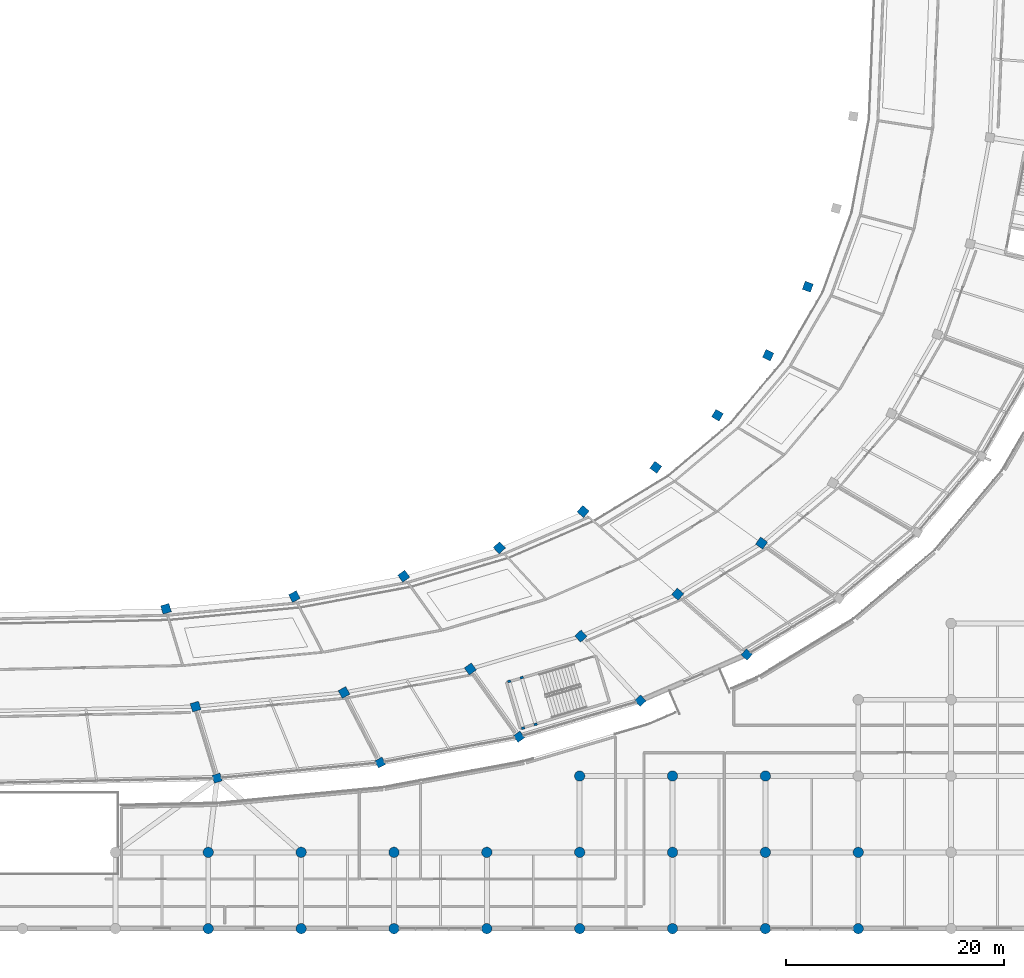
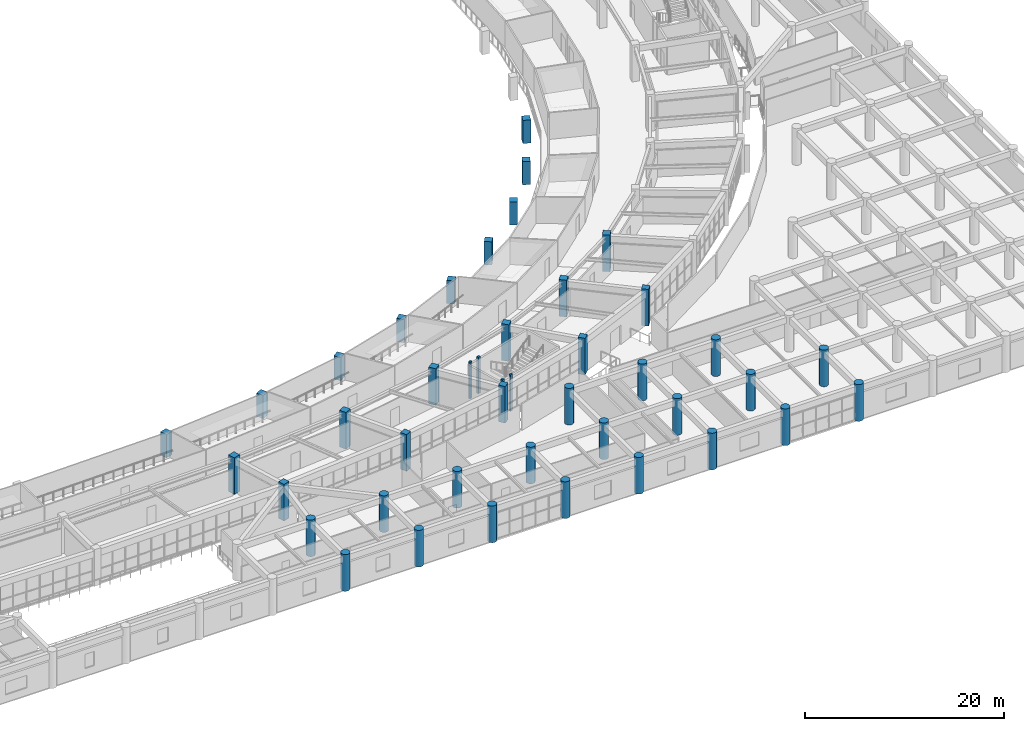
# One storey, part 4 of 141: 43 columns.
"""IFC4 building model written with IfcOpenShell, lengths in metres."""

from ifc_helpers import new_model, si_unit, direction, frame, origin, origin_2d, place, context, subcontext, project, spatial, rectangle, circle, extrude, material, material_profile, profile_set, type_object, element, save


model = new_model("IFC4")

# Units and contexts
model_context = context("Model", 3, precision=1e-05, world=origin(), true_north=direction((0.0, 1.0)))
body_context = subcontext(model_context, "Body", "Model", "MODEL_VIEW")
ifc_project = project(units=[si_unit("LENGTHUNIT", "METRE"), si_unit("AREAUNIT", "SQUARE_METRE"), si_unit("VOLUMEUNIT", "CUBIC_METRE"), si_unit("PLANEANGLEUNIT", "RADIAN"), si_unit("MASSUNIT", "GRAM", prefix="KILO")], contexts=[model_context])

# Site, building, storey
site_placement = place(None, origin())
site = spatial("IfcSite", under=ifc_project, at=site_placement, CompositionType="ELEMENT")
building_placement = place(site_placement, origin())
building = spatial("IfcBuilding", under=site, at=building_placement, Name="Mphavela Belvedere Stadium", CompositionType="ELEMENT")
storey_placement = place(building_placement, frame((0.0, 0.0, 14.699951171875)))
storey = spatial("IfcBuildingStorey", under=building, at=storey_placement, Name="L03", CompositionType="ELEMENT", Elevation=14.699951171875)

# Columns
ifc_material_1 = material(Name="Concrete C40/50", Category="concrete")
ifc_material_profile_1 = material_profile(ifc_material_1, rectangle(XDim=0.300048828125, YDim=0.219970703125, at=origin_2d()), Name="RC 300x220")
ifc_profile_set_1 = profile_set([ifc_material_profile_1], Name="Concrete C40/50")
column_type_1 = type_object("IfcColumnType", Name="COL-CORE-POST-300", PredefinedType="COLUMN", material=ifc_profile_set_1)
for number, where, z_axis, x_axis, name in (
    (1, (165.05419921875, 23.027099609375, 0.0), (0.0, 0.0, 1.0), (-0.958670893355, -0.284517342588, 0.0), "Core P04 stair frame column L03-1"),
    (2, (163.90380859375, 22.685791015625, 0.0), (0.0, 0.0, 1.0), (-0.958670893355, -0.284517342588, 0.0), "Core P04 stair frame column L03-2"),
    (3, (165.175537109375, 18.400390625, 0.0), (0.0, 0.0, 1.0), (-0.958670893355, -0.284517342588, 0.0), "Core P04 stair frame column L03-3"),
    (4, (166.325927734375, 18.741943359375, 0.0), (0.0, 0.0, 1.0), (-0.958670893355, -0.284517342588, 0.0), "Core P04 stair frame column L03-4"),
):
    element("IfcColumn", number, at=place(storey_placement, frame(where, z_axis=z_axis, x_axis=x_axis)), inside=storey, type_object=column_type_1, Name=name, PredefinedType="COLUMN", context=body_context, shape_type="SweptSolid", body=[
        extrude(rectangle(XDim=0.300048828125, YDim=0.219970703125, at=origin_2d()), origin(), (0.0, 0.0, 1.0), 4.5),
    ])
ifc_material_2 = material(Name="Concrete C40/50", Category="concrete")
ifc_material_profile_2 = material_profile(ifc_material_2, circle(Radius=0.47509765625, at=origin_2d()), Name="COL D950")
ifc_profile_set_2 = profile_set([ifc_material_profile_2], Name="Concrete C40/50")
column_type_2 = type_object("IfcColumnType", Name="COL-DORIC-950", PredefinedType="COLUMN", material=ifc_profile_set_2)
for number, where, z_axis, x_axis, name in (
    (5, (136.2958984375, 0.0, 0.0), (0.0, 0.0, 1.0), (1.0, 0.0, 0.0), "South Axial Triumphal Peristyle Portico classical column L03 17-1"),
    (6, (136.2958984375, 7.0, 0.0), (0.0, 0.0, 1.0), (1.0, 0.0, 0.0), "South Axial Triumphal Peristyle Portico classical column L03 17-2"),
    (7, (144.81494140625, 0.0, 0.0), (0.0, 0.0, 1.0), (1.0, 0.0, 0.0), "South Axial Triumphal Peristyle Portico classical column L03 18-1"),
    (8, (144.81494140625, 7.0, 0.0), (0.0, 0.0, 1.0), (1.0, 0.0, 0.0), "South Axial Triumphal Peristyle Portico classical column L03 18-2"),
    (9, (153.3330078125, 0.0, 0.0), (0.0, 0.0, 1.0), (1.0, 0.0, 0.0), "South Axial Triumphal Peristyle Portico classical column L03 19-1"),
    (10, (153.3330078125, 7.0, 0.0), (0.0, 0.0, 1.0), (1.0, 0.0, 0.0), "South Axial Triumphal Peristyle Portico classical column L03 19-2"),
    (11, (161.85205078125, 0.0, 0.0), (0.0, 0.0, 1.0), (1.0, 0.0, 0.0), "South Axial Triumphal Peristyle Portico classical column L03 20-1"),
    (12, (161.85205078125, 7.0, 0.0), (0.0, 0.0, 1.0), (1.0, 0.0, 0.0), "South Axial Triumphal Peristyle Portico classical column L03 20-2"),
    (13, (170.3701171875, 0.0, 0.0), (0.0, 0.0, 1.0), (1.0, 0.0, 0.0), "South Axial Triumphal Peristyle Portico classical column L03 21-1"),
    (14, (170.3701171875, 7.0, 0.0), (0.0, 0.0, 1.0), (1.0, 0.0, 0.0), "South Axial Triumphal Peristyle Portico classical column L03 21-2"),
    (15, (170.3701171875, 14.0, 0.0), (0.0, 0.0, 1.0), (1.0, 0.0, 0.0), "South Axial Triumphal Peristyle Portico classical column L03 21-3"),
    (16, (178.888916015625, 0.0, 0.0), (0.0, 0.0, 1.0), (1.0, 0.0, 0.0), "South Axial Triumphal Peristyle Portico classical column L03 22-1"),
    (17, (178.888916015625, 7.0, 0.0), (0.0, 0.0, 1.0), (1.0, 0.0, 0.0), "South Axial Triumphal Peristyle Portico classical column L03 22-2"),
    (18, (178.888916015625, 14.0, 0.0), (0.0, 0.0, 1.0), (1.0, 0.0, 0.0), "South Axial Triumphal Peristyle Portico classical column L03 22-3"),
    (19, (187.406982421875, 0.0, 0.0), (0.0, 0.0, 1.0), (1.0, 0.0, 0.0), "South Axial Triumphal Peristyle Portico classical column L03 23-1"),
    (20, (187.406982421875, 7.0, 0.0), (0.0, 0.0, 1.0), (1.0, 0.0, 0.0), "South Axial Triumphal Peristyle Portico classical column L03 23-2"),
    (21, (187.406982421875, 14.0, 0.0), (0.0, 0.0, 1.0), (1.0, 0.0, 0.0), "South Axial Triumphal Peristyle Portico classical column L03 23-3"),
    (22, (195.926025390625, 0.0, 0.0), (0.0, 0.0, 1.0), (1.0, 0.0, 0.0), "South Axial Triumphal Peristyle Portico classical column L03 24-1"),
    (23, (195.926025390625, 7.0, 0.0), (0.0, 0.0, 1.0), (1.0, 0.0, 0.0), "South Axial Triumphal Peristyle Portico classical column L03 24-2"),
):
    element("IfcColumn", number, at=place(storey_placement, frame(where, z_axis=z_axis, x_axis=x_axis)), inside=storey, type_object=column_type_2, Name=name, PredefinedType="COLUMN", context=body_context, shape_type="SweptSolid", body=[
        extrude(circle(Radius=0.47509765625, at=origin_2d()), origin(), (0.0, 0.0, 1.0), 4.5),
    ])
ifc_material_3 = material(Name="Concrete C40/50", Category="concrete")
ifc_material_profile_3 = material_profile(ifc_material_3, rectangle(XDim=0.75, YDim=0.75, at=origin_2d()), Name="RC 750x750")
ifc_profile_set_3 = profile_set([ifc_material_profile_3], Name="Concrete C40/50")
column_type_3 = type_object("IfcColumnType", Name="COL-RC750", PredefinedType="COLUMN", material=ifc_profile_set_3)
for number, where, z_axis, x_axis, name in (
    (24, (137.114501953125, 13.80615234375, 0.0), (0.0, 0.0, 1.0), (0.289198876314, -0.957269037387, 0.0), "Outer colonnade column L03 R4-38"),
    (25, (152.07275390625, 15.232666015625, 0.0), (0.0, 0.0, 1.0), (0.458959712465, -0.888457079624, 0.0), "Outer colonnade column L03 R4-39"),
    (26, (164.80126953125, 17.60302734375, 0.0), (0.0, 0.0, 1.0), (0.582974127943, -0.812490717577, 0.0), "Outer colonnade column L03 R4-40"),
    (27, (175.9375, 20.90869140625, 0.0), (0.0, 0.0, 1.0), (0.677903094969, -0.735151272753, 0.0), "Outer colonnade column L03 R4-41"),
    (28, (185.6962890625, 25.13916015625, 0.0), (0.0, 0.0, 1.0), (0.752529860433, -0.658558128912, 0.0), "Outer colonnade column L03 R4-42"),
):
    element("IfcColumn", number, at=place(storey_placement, frame(where, z_axis=z_axis, x_axis=x_axis)), inside=storey, type_object=column_type_3, Name=name, PredefinedType="COLUMN", context=body_context, shape_type="SweptSolid", body=[
        extrude(rectangle(XDim=0.75, YDim=0.75, at=origin_2d()), origin(), (0.0, 0.0, 1.0), 4.5),
    ])
ifc_material_4 = material(Name="Concrete C40/50", Category="concrete")
ifc_material_profile_4 = material_profile(ifc_material_4, rectangle(XDim=0.800048828125, YDim=0.800048828125, at=origin_2d()), Name="RC 800x800")
ifc_profile_set_4 = profile_set([ifc_material_profile_4], Name="Concrete C40/50")
column_type_4 = type_object("IfcColumnType", Name="COL-RC800", PredefinedType="COLUMN", material=ifc_profile_set_4)
column_1_placement = place(storey_placement, frame((132.42041015625, 29.342529296875, 0.0), z_axis=(0.0, 0.0, 1.0), x_axis=(0.289198876314, -0.957269037387, 0.0)))
element("IfcColumn", 29, at=column_1_placement, inside=storey, type_object=column_type_4, Name="Upper raker support column L03 R2-38", PredefinedType="COLUMN", context=body_context, shape_type="SweptSolid", body=[
    extrude(rectangle(XDim=0.800048828125, YDim=0.800048828125, at=origin_2d()), origin(), (0.0, 0.0, 1.0), 2.85009765625),
])
column_2_placement = place(storey_placement, frame((135.1328125, 20.365966796875, 0.0), z_axis=(0.0, 0.0, 1.0), x_axis=(0.289198876314, -0.957269037387, 0.0)))
element("IfcColumn", 30, at=column_2_placement, inside=storey, type_object=column_type_4, Name="Main bowl column L03 R3-38", PredefinedType="COLUMN", context=body_context, shape_type="SweptSolid", body=[
    extrude(rectangle(XDim=0.800048828125, YDim=0.800048828125, at=origin_2d()), origin(), (0.0, 0.0, 1.0), 4.5),
])
column_3_placement = place(storey_placement, frame((144.20361328125, 30.46630859375, 0.0), z_axis=(0.0, 0.0, 1.0), x_axis=(0.458959712465, -0.888457079624, 0.0)))
element("IfcColumn", 31, at=column_3_placement, inside=storey, type_object=column_type_4, Name="Upper raker support column L03 R2-39", PredefinedType="COLUMN", context=body_context, shape_type="SweptSolid", body=[
    extrude(rectangle(XDim=0.800048828125, YDim=0.800048828125, at=origin_2d()), origin(), (0.0, 0.0, 1.0), 2.85009765625),
])
column_4_placement = place(storey_placement, frame((148.750244140625, 21.66455078125, 0.0), z_axis=(0.0, 0.0, 1.0), x_axis=(0.458959712465, -0.888457079624, 0.0)))
element("IfcColumn", 32, at=column_4_placement, inside=storey, type_object=column_type_4, Name="Main bowl column L03 R3-39", PredefinedType="COLUMN", context=body_context, shape_type="SweptSolid", body=[
    extrude(rectangle(XDim=0.800048828125, YDim=0.800048828125, at=origin_2d()), origin(), (0.0, 0.0, 1.0), 4.5),
])
column_5_placement = place(storey_placement, frame((154.230224609375, 32.33349609375, 0.0), z_axis=(0.0, 0.0, 1.0), x_axis=(0.582974127943, -0.812490717577, 0.0)))
element("IfcColumn", 33, at=column_5_placement, inside=storey, type_object=column_type_4, Name="Upper raker support column L03 R2-40", PredefinedType="COLUMN", context=body_context, shape_type="SweptSolid", body=[
    extrude(rectangle(XDim=0.800048828125, YDim=0.800048828125, at=origin_2d()), origin(), (0.0, 0.0, 1.0), 2.85009765625),
])
column_6_placement = place(storey_placement, frame((160.337890625, 23.822509765625, 0.0), z_axis=(0.0, 0.0, 1.0), x_axis=(0.582974127943, -0.812490717577, 0.0)))
element("IfcColumn", 34, at=column_6_placement, inside=storey, type_object=column_type_4, Name="Main bowl column L03 R3-40", PredefinedType="COLUMN", context=body_context, shape_type="SweptSolid", body=[
    extrude(rectangle(XDim=0.800048828125, YDim=0.800048828125, at=origin_2d()), origin(), (0.0, 0.0, 1.0), 4.5),
])
column_7_placement = place(storey_placement, frame((163.002685546875, 34.9375, 0.0), z_axis=(0.0, 0.0, 1.0), x_axis=(0.677903094969, -0.735151272753, 0.0)))
element("IfcColumn", 35, at=column_7_placement, inside=storey, type_object=column_type_4, Name="Upper raker support column L03 R2-41", PredefinedType="COLUMN", context=body_context, shape_type="SweptSolid", body=[
    extrude(rectangle(XDim=0.800048828125, YDim=0.800048828125, at=origin_2d()), origin(), (0.0, 0.0, 1.0), 2.85009765625),
])
column_8_placement = place(storey_placement, frame((170.476318359375, 26.83203125, 0.0), z_axis=(0.0, 0.0, 1.0), x_axis=(0.677903094969, -0.735151272753, 0.0)))
element("IfcColumn", 36, at=column_8_placement, inside=storey, type_object=column_type_4, Name="Main bowl column L03 R3-41", PredefinedType="COLUMN", context=body_context, shape_type="SweptSolid", body=[
    extrude(rectangle(XDim=0.800048828125, YDim=0.800048828125, at=origin_2d()), origin(), (0.0, 0.0, 1.0), 4.5),
])
column_9_placement = place(storey_placement, frame((170.68994140625, 38.27001953125, 0.0), z_axis=(0.0, 0.0, 1.0), x_axis=(0.752529860433, -0.658558128912, 0.0)))
element("IfcColumn", 37, at=column_9_placement, inside=storey, type_object=column_type_4, Name="Upper raker support column L03 R2-42", PredefinedType="COLUMN", context=body_context, shape_type="SweptSolid", body=[
    extrude(rectangle(XDim=0.800048828125, YDim=0.800048828125, at=origin_2d()), origin(), (0.0, 0.0, 1.0), 2.85009765625),
])
column_10_placement = place(storey_placement, frame((179.360107421875, 30.68310546875, 0.0), z_axis=(0.0, 0.0, 1.0), x_axis=(0.752529860433, -0.658558128912, 0.0)))
element("IfcColumn", 38, at=column_10_placement, inside=storey, type_object=column_type_4, Name="Main bowl column L03 R3-42", PredefinedType="COLUMN", context=body_context, shape_type="SweptSolid", body=[
    extrude(rectangle(XDim=0.800048828125, YDim=0.800048828125, at=origin_2d()), origin(), (0.0, 0.0, 1.0), 4.5),
])
column_11_placement = place(storey_placement, frame((177.353759765625, 42.323974609375, 0.0), z_axis=(0.0, 0.0, 1.0), x_axis=(0.812897512265, -0.582406760395, 0.0)))
element("IfcColumn", 39, at=column_11_placement, inside=storey, type_object=column_type_4, Name="Upper raker support column L03 R2-43", PredefinedType="COLUMN", context=body_context, shape_type="SweptSolid", body=[
    extrude(rectangle(XDim=0.800048828125, YDim=0.800048828125, at=origin_2d()), origin(), (0.0, 0.0, 1.0), 2.85009765625),
])
column_12_placement = place(storey_placement, frame((187.061279296875, 35.368408203125, 0.0), z_axis=(0.0, 0.0, 1.0), x_axis=(0.812897512265, -0.582406760395, 0.0)))
element("IfcColumn", 40, at=column_12_placement, inside=storey, type_object=column_type_4, Name="Main bowl column L03 R3-43", PredefinedType="COLUMN", context=body_context, shape_type="SweptSolid", body=[
    extrude(rectangle(XDim=0.800048828125, YDim=0.800048828125, at=origin_2d()), origin(), (0.0, 0.0, 1.0), 4.5),
])
for number, where, z_axis, x_axis, name in (
    (41, (183.01171875, 47.098388671875, 0.0), (0.0, 0.0, 1.0), (0.862513669207, -0.506033764121, 0.0), "Upper raker support column L03 R2-44"),
    (42, (187.66259765625, 52.606201171875, 0.0), (0.0, 0.0, 1.0), (0.903858661687, -0.4278311813, 0.0), "Upper raker support column L03 R2-45"),
    (43, (191.297119140625, 58.891845703125, 0.0), (0.0, 0.0, 1.0), (0.938372433776, -0.34562577382, 0.0), "Upper raker support column L03 R2-46"),
):
    element("IfcColumn", number, at=place(storey_placement, frame(where, z_axis=z_axis, x_axis=x_axis)), inside=storey, type_object=column_type_4, Name=name, PredefinedType="COLUMN", context=body_context, shape_type="SweptSolid", body=[
        extrude(rectangle(XDim=0.800048828125, YDim=0.800048828125, at=origin_2d()), origin(), (0.0, 0.0, 1.0), 2.85009765625),
    ])

save(model, "model.ifc")
